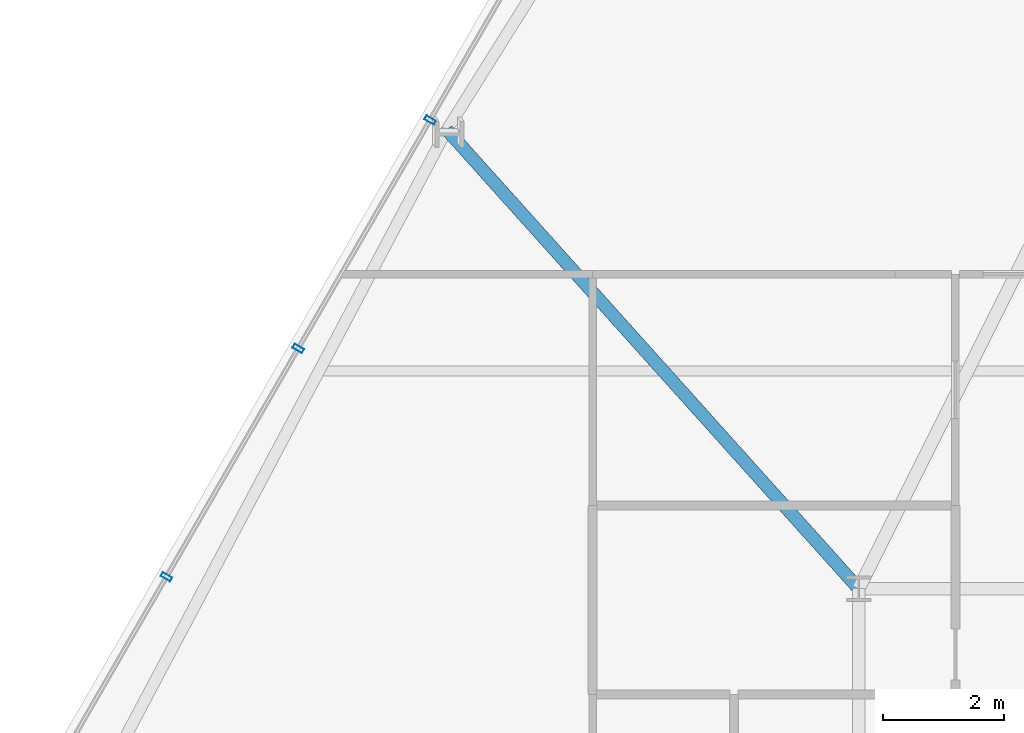
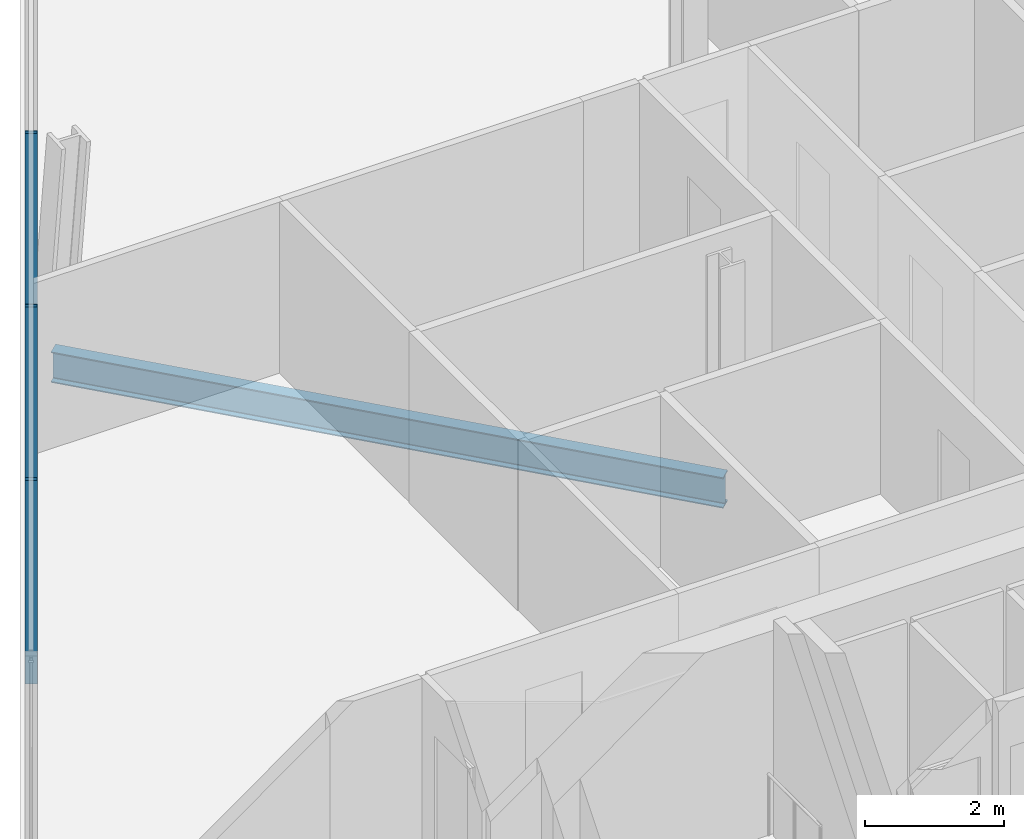
# One storey, part 11 of 32: 3 members, 1 beam, 1 element without a shape of its own.
"""IFC4 building model written with IfcOpenShell, lengths in metres."""

from ifc_helpers import new_model, si_unit, direction, frame, origin, origin_2d, place, context, subcontext, project, spatial, hollow_rectangle, i_section, extrude, material, layer, layer_set, material_profile, profile_set, type_object, element, aggregate, save


model = new_model("IFC4")

# Units and contexts
model_context = context("Model", 3, precision=1e-05, world=origin(), true_north=direction((0.0, 1.0)))
body_context = subcontext(model_context, "Body", "Model", "MODEL_VIEW")
ifc_project = project(units=[si_unit("LENGTHUNIT", "METRE"), si_unit("AREAUNIT", "SQUARE_METRE"), si_unit("VOLUMEUNIT", "CUBIC_METRE"), si_unit("PLANEANGLEUNIT", "RADIAN"), si_unit("MASSUNIT", "GRAM", prefix="KILO")], contexts=[model_context])

# Site, building, storey
site_placement = place(None, origin())
site = spatial("IfcSite", under=ifc_project, at=site_placement, CompositionType="ELEMENT")
building_placement = place(site_placement, origin())
building = spatial("IfcBuilding", under=site, at=building_placement, Name="Ndaravel Arena Tower", CompositionType="ELEMENT")
storey_placement = place(building_placement, frame((0.0, 0.0, 134.60009765625)))
storey = spatial("IfcBuildingStorey", under=building, at=storey_placement, Name="L31", CompositionType="ELEMENT", Elevation=134.60009765625)

# Beam
ifc_material_1 = material(Name="Steel S355", Category="steel")
ifc_material_profile_1 = material_profile(ifc_material_1, i_section(OverallWidth=0.210693359375, OverallDepth=0.53955078125, WebThickness=0.01171875, FlangeThickness=0.018798828125, FilletRadius=0.0126953125, at=origin_2d()), Name="UB 533x210x109")
ifc_profile_set_1 = profile_set([ifc_material_profile_1], Name="Steel S355")
beam_type = type_object("IfcBeamType", Name="BM-GIRD-UB533", PredefinedType="BEAM", material=ifc_profile_set_1)
beam_placement = place(storey_placement, frame((27.38818359375, 30.78857421875, -0.48974609375), z_axis=(0.667989304353, -0.744170873704, 0.0), x_axis=(0.744170873704, 0.667989304353, 0.0)))
element("IfcBeam", 1, at=beam_placement, inside=storey, type_object=beam_type, Name="L31 Radial Floor Girder FG-19", PredefinedType="BEAM", context=body_context, shape_type="SweptSolid", body=[
    extrude(i_section(OverallWidth=0.210693359375, OverallDepth=0.53955078125, WebThickness=0.01171875, FlangeThickness=0.018798828125, FilletRadius=0.0126953125, at=origin_2d()), origin(), (0.0, 0.0, 1.0), 10.197509765625),
])

# Curtain wall, members
ifc_material_2 = material(Name="Aluminium", Category="aluminium")
ifc_layer = layer(ifc_material_2, 0.179931640625)
ifc_layer_set = layer_set([ifc_layer], Name="Aluminium")
curtain_wall_type = type_object("IfcCurtainWallType", Name="CW-SYS-03", PredefinedType="NOTDEFINED", material=ifc_layer_set)
curtain_wall_placement = place(storey_placement, origin())
curtain_wall = element("IfcCurtainWall", 2, at=curtain_wall_placement, inside=storey, type_object=curtain_wall_type, Name="L31 Faceted Crystal Curtain Wall CW-L31-E05", PredefinedType="NOTDEFINED")
ifc_material_3 = material(Name="Aluminium", Category="aluminium")
ifc_material_profile_2 = material_profile(ifc_material_3, hollow_rectangle(XDim=0.074951171875, YDim=0.179931640625, WallThickness=0.00390625, at=origin_2d()), Name="CW MULLION 75x180x4")
ifc_profile_set_2 = profile_set([ifc_material_profile_2], Name="Aluminium")
member_type = type_object("IfcMemberType", Name="MEM-CW-MUL180", PredefinedType="MULLION", material=ifc_profile_set_2)
member_1_placement = place(storey_placement, frame((27.111083984375, 30.948486328125, 0.0), z_axis=(0.0, 0.0, 1.0), x_axis=(-0.5, -0.866025403784, 0.0)))
member_1 = element("IfcMember", 3, at=member_1_placement, type_object=member_type, Name="CW-L31-E05 Mullion 04", PredefinedType="MULLION", context=body_context, shape_type="SweptSolid", body=[
    extrude(hollow_rectangle(XDim=0.074951171875, YDim=0.179931640625, WallThickness=0.00390625, at=origin_2d()), origin(), (0.0, 0.0, 1.0), 3.579833984375),
])
member_2_placement = place(storey_placement, frame((24.930419921875, 27.171630859375, 0.0), z_axis=(0.0, 0.0, 1.0), x_axis=(-0.5, -0.866025403784, 0.0)))
member_2 = element("IfcMember", 4, at=member_2_placement, type_object=member_type, Name="CW-L31-E05 Mullion 05", PredefinedType="MULLION", context=body_context, shape_type="SweptSolid", body=[
    extrude(hollow_rectangle(XDim=0.074951171875, YDim=0.179931640625, WallThickness=0.00390625, at=origin_2d()), origin(), (0.0, 0.0, 1.0), 3.579833984375),
])
member_3_placement = place(storey_placement, frame((22.75, 23.39501953125, 0.0), z_axis=(0.0, 0.0, 1.0), x_axis=(-0.5, -0.866025403784, 0.0)))
member_3 = element("IfcMember", 5, at=member_3_placement, type_object=member_type, Name="CW-L31-E05 Mullion 06", PredefinedType="MULLION", context=body_context, shape_type="SweptSolid", body=[
    extrude(hollow_rectangle(XDim=0.074951171875, YDim=0.179931640625, WallThickness=0.00390625, at=origin_2d()), origin(), (0.0, 0.0, 1.0), 3.579833984375),
])
aggregate(curtain_wall, [member_1, member_2, member_3])

save(model, "model.ifc")
